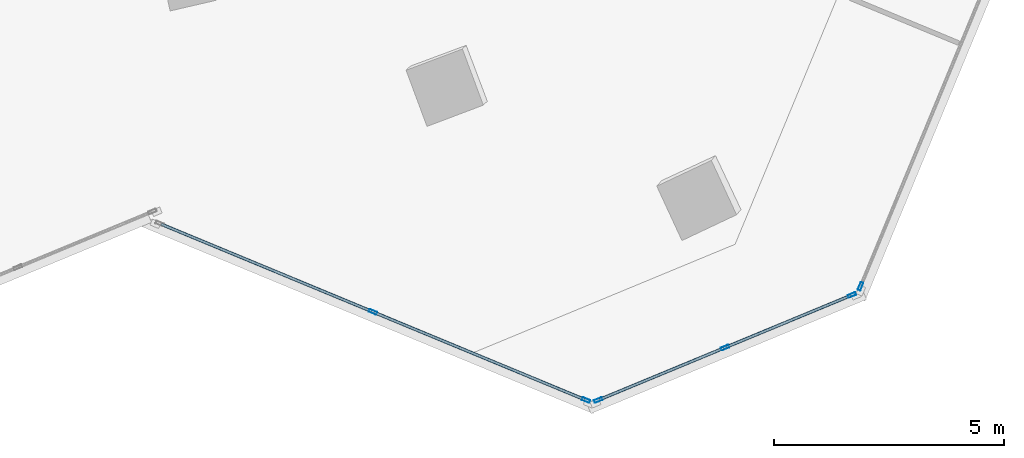
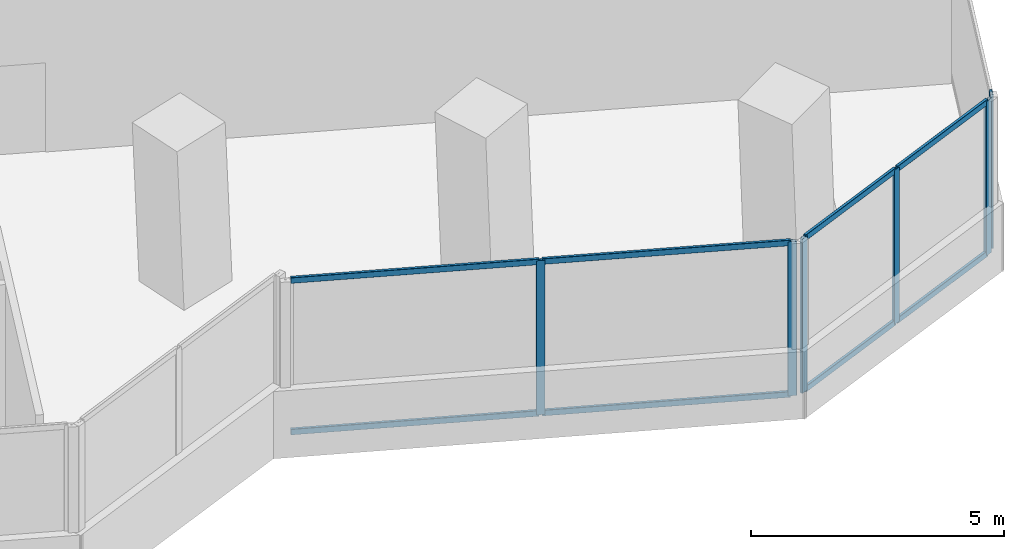
# One storey, part 6 of 22: 14 members, 3 elements without a shape of their own.
"""IFC4 building model written with IfcOpenShell, lengths in metres."""

from ifc_helpers import new_model, si_unit, direction, frame, origin, origin_2d, place, context, subcontext, project, spatial, hollow_rectangle, extrude, source, transform, mapped, material, material_profile, profile_set, type_object, element, aggregate, save


model = new_model("IFC4")

# Units and contexts
model_context = context("Model", 3, precision=1e-05, world=origin(), true_north=direction((0.0, 1.0)))
body_context = subcontext(model_context, "Body", "Model", "MODEL_VIEW")
ifc_project = project(units=[si_unit("LENGTHUNIT", "METRE"), si_unit("AREAUNIT", "SQUARE_METRE"), si_unit("VOLUMEUNIT", "CUBIC_METRE"), si_unit("PLANEANGLEUNIT", "RADIAN"), si_unit("MASSUNIT", "GRAM", prefix="KILO")], contexts=[model_context])

# Site, building, storey
site_placement = place(None, origin())
site = spatial("IfcSite", under=ifc_project, at=site_placement, CompositionType="ELEMENT")
building_placement = place(site_placement, origin())
building = spatial("IfcBuilding", under=site, at=building_placement, Name="Torre Montelarca", CompositionType="ELEMENT")
storey_placement = place(building_placement, frame((0.0, 0.0, 149.800048828125)))
storey = spatial("IfcBuildingStorey", under=building, at=storey_placement, Name="L33", CompositionType="ELEMENT", Elevation=149.800048828125)

# Curtain wall, members
ifc_material_1 = material(Name="Insulated low-E laminated glass", Category="glass")
curtain_wall_type = type_object("IfcCurtainWallType", Name="CW-SYS-Z2", PredefinedType="USERDEFINED", material=ifc_material_1)
curtain_wall_1_placement = place(storey_placement, origin())
curtain_wall_1 = element("IfcCurtainWall", 1, at=curtain_wall_1_placement, inside=storey, type_object=curtain_wall_type, Name="L33 Curtain Wall Run CW-T3-L33-E05-B1", ObjectType="UNITISED GLAZING", PredefinedType="USERDEFINED")
ifc_material_2 = material(Name="Anodised aluminium AA 6063-T6", Category="aluminium")
ifc_material_profile_1 = material_profile(ifc_material_2, hollow_rectangle(XDim=0.06494140625, YDim=0.139892578125, WallThickness=0.00390625, InnerFilletRadius=0.00390625, OuterFilletRadius=0.008056640625, at=origin_2d()), Name="ALU65X140X4", Category="aluminium")
ifc_profile_set_1 = profile_set([ifc_material_profile_1], Name="Anodised aluminium AA 6063-T6")
member_type_1 = type_object("IfcMemberType", Name="CWT-ALU140", PredefinedType="USERDEFINED", material=ifc_profile_set_1)
shared_shape_1 = source(origin(), body_context, "Body", "SweptSolid", [
    extrude(hollow_rectangle(XDim=0.06494140625, YDim=0.139892578125, WallThickness=0.00390625, InnerFilletRadius=0.00390625, OuterFilletRadius=0.008056640625, at=origin_2d()), origin(), (0.0, 0.0, 1.0), 2.918701171875),
])
member_1_placement = place(storey_placement, frame((43.0673828125, 10.689208984375, 0.032470703125), z_axis=(0.923908773038, 0.382612831859, 0.0), x_axis=(-0.382612831859, 0.923908773038, 0.0)))
member_1 = element("IfcMember", 2, at=member_1_placement, type_object=member_type_1, Name="CW transom 2.1", ObjectType="TRANSOM", PredefinedType="USERDEFINED", context=body_context, shape_type="MappedRepresentation", body=[
    mapped(shared_shape_1, transform((0.0, 0.0, 0.0), scale=1.0)),
])
member_2_placement = place(storey_placement, frame((43.0673828125, 10.689208984375, 3.6875), z_axis=(0.923908773038, 0.382612831859, 0.0), x_axis=(-0.382612831859, 0.923908773038, 0.0)))
member_2 = element("IfcMember", 3, at=member_2_placement, type_object=member_type_1, Name="CW transom 2.2", ObjectType="TRANSOM", PredefinedType="USERDEFINED", context=body_context, shape_type="MappedRepresentation", body=[
    mapped(shared_shape_1, transform((0.0, 0.0, 0.0), scale=1.0)),
])
shared_shape_2 = source(origin(), body_context, "Body", "SweptSolid", [
    extrude(hollow_rectangle(XDim=0.06494140625, YDim=0.139892578125, WallThickness=0.00390625, InnerFilletRadius=0.00390625, OuterFilletRadius=0.008056640625, at=origin_2d()), origin(), (0.0, 0.0, 1.0), 2.91845703125),
])
member_3_placement = place(storey_placement, frame((40.31103515625, 9.54736328125, 0.032470703125), z_axis=(0.923866949915, 0.382713808028, 0.0), x_axis=(-0.382713808028, 0.923866949915, 0.0)))
member_3 = element("IfcMember", 4, at=member_3_placement, type_object=member_type_1, Name="CW transom 1.1", ObjectType="TRANSOM", PredefinedType="USERDEFINED", context=body_context, shape_type="MappedRepresentation", body=[
    mapped(shared_shape_2, transform((0.0, 0.0, 0.0), scale=1.0)),
])
member_4_placement = place(storey_placement, frame((40.31103515625, 9.54736328125, 3.6875), z_axis=(0.923866949915, 0.382713808028, 0.0), x_axis=(-0.382713808028, 0.923866949915, 0.0)))
member_4 = element("IfcMember", 5, at=member_4_placement, type_object=member_type_1, Name="CW transom 1.2", ObjectType="TRANSOM", PredefinedType="USERDEFINED", context=body_context, shape_type="MappedRepresentation", body=[
    mapped(shared_shape_2, transform((0.0, 0.0, 0.0), scale=1.0)),
])

curtain_wall_2_placement = place(storey_placement, origin())
curtain_wall_2 = element("IfcCurtainWall", 6, at=curtain_wall_2_placement, inside=storey, type_object=curtain_wall_type, Name="L33 Curtain Wall Run CW-T3-L33-E04-B1", ObjectType="UNITISED GLAZING", PredefinedType="USERDEFINED")
ifc_material_profile_2 = material_profile(ifc_material_2, hollow_rectangle(XDim=0.06494140625, YDim=0.179931640625, WallThickness=0.00390625, InnerFilletRadius=0.00390625, OuterFilletRadius=0.008056640625, at=origin_2d()), Name="ALU65X180X4", Category="aluminium")
ifc_profile_set_2 = profile_set([ifc_material_profile_2], Name="Anodised aluminium AA 6063-T6")
member_type_2 = type_object("IfcMemberType", Name="CWM-ALU180", PredefinedType="MULLION", material=ifc_profile_set_2)
shared_shape_3 = source(origin(), body_context, "Body", "SweptSolid", [
    extrude(hollow_rectangle(XDim=0.06494140625, YDim=0.179931640625, WallThickness=0.00390625, InnerFilletRadius=0.00390625, OuterFilletRadius=0.008056640625, at=origin_2d()), origin(), (0.0, 0.0, 1.0), 3.719970703125),
])
member_5_placement = place(storey_placement, frame((35.382080078125, 11.45361328125, 0.0), z_axis=(0.0, 0.0, 1.0), x_axis=(0.382671218228, 0.923884591678, 0.0)))
member_5 = element("IfcMember", 7, at=member_5_placement, type_object=member_type_2, Name="CW mullion 2", PredefinedType="MULLION", context=body_context, shape_type="MappedRepresentation", body=[
    mapped(shared_shape_3, transform((0.0, 0.0, 0.0), scale=1.0)),
])
member_6_placement = place(storey_placement, frame((40.013916015625, 9.53515625, 0.0), z_axis=(0.0, 0.0, 1.0), x_axis=(0.382671218228, 0.923884591678, 0.0)))
member_6 = element("IfcMember", 8, at=member_6_placement, type_object=member_type_2, Name="CW mullion 3", PredefinedType="MULLION", context=body_context, shape_type="MappedRepresentation", body=[
    mapped(shared_shape_3, transform((0.0, 0.0, 0.0), scale=1.0)),
])

# Member
member_7_placement = place(storey_placement, frame((40.281005859375, 9.53515625, 0.0), z_axis=(0.0, 0.0, 1.0), x_axis=(-0.382661697384, 0.923888535136, 0.0)))
member_7 = element("IfcMember", 9, at=member_7_placement, type_object=member_type_2, Name="CW mullion 1", PredefinedType="MULLION", context=body_context, shape_type="MappedRepresentation", body=[
    mapped(shared_shape_3, transform((0.0, 0.0, 0.0), scale=1.0)),
])

member_8_placement = place(storey_placement, frame((43.037353515625, 10.6767578125, 0.0), z_axis=(0.0, 0.0, 1.0), x_axis=(-0.382661697384, 0.923888535136, 0.0)))
member_8 = element("IfcMember", 10, at=member_8_placement, type_object=member_type_2, Name="CW mullion 2", PredefinedType="MULLION", context=body_context, shape_type="MappedRepresentation", body=[
    mapped(shared_shape_3, transform((0.0, 0.0, 0.0), scale=1.0)),
])

member_9_placement = place(storey_placement, frame((45.7939453125, 11.818359375, 0.0), z_axis=(0.0, 0.0, 1.0), x_axis=(-0.382661697384, 0.923888535136, 0.0)))
member_9 = element("IfcMember", 11, at=member_9_placement, type_object=member_type_2, Name="CW mullion 3", PredefinedType="MULLION", context=body_context, shape_type="MappedRepresentation", body=[
    mapped(shared_shape_3, transform((0.0, 0.0, 0.0), scale=1.0)),
])

aggregate(curtain_wall_1, [member_7, member_8, member_9, member_3, member_4, member_1, member_2])

# Curtain wall, member
curtain_wall_3_placement = place(storey_placement, origin())
curtain_wall_3 = element("IfcCurtainWall", 12, at=curtain_wall_3_placement, inside=storey, type_object=curtain_wall_type, Name="L33 Curtain Wall Run CW-T3-L33-E06-B1", ObjectType="UNITISED GLAZING", PredefinedType="USERDEFINED")
member_10_placement = place(storey_placement, frame((45.98291015625, 12.00732421875, 0.0), z_axis=(0.0, 0.0, 1.0), x_axis=(-0.923881379508, 0.38267897329, 0.0)))
member_10 = element("IfcMember", 13, at=member_10_placement, type_object=member_type_2, Name="CW mullion 1", PredefinedType="MULLION", context=body_context, shape_type="MappedRepresentation", body=[
    mapped(shared_shape_3, transform((0.0, 0.0, 0.0), scale=1.0)),
])
aggregate(curtain_wall_3, [member_10])

# Member
shared_shape_4 = source(origin(), body_context, "Body", "SweptSolid", [
    extrude(hollow_rectangle(XDim=0.06494140625, YDim=0.139892578125, WallThickness=0.00390625, InnerFilletRadius=0.00390625, OuterFilletRadius=0.008056640625, at=origin_2d()), origin(), (0.0, 0.0, 1.0), 4.948486328125),
])
member_11_placement = place(storey_placement, frame((30.7802734375, 13.359619140625, 0.032470703125), z_axis=(0.923889355762, -0.382659716079, 0.0), x_axis=(0.382659716079, 0.923889355762, 0.0)))
member_11 = element("IfcMember", 14, at=member_11_placement, type_object=member_type_1, Name="CW transom 1.1", ObjectType="TRANSOM", PredefinedType="USERDEFINED", context=body_context, shape_type="MappedRepresentation", body=[
    mapped(shared_shape_4, transform((0.0, 0.0, 0.0), scale=1.0)),
])

member_12_placement = place(storey_placement, frame((30.7802734375, 13.359619140625, 3.6875), z_axis=(0.923889355762, -0.382659716079, 0.0), x_axis=(0.382659716079, 0.923889355762, 0.0)))
member_12 = element("IfcMember", 15, at=member_12_placement, type_object=member_type_1, Name="CW transom 1.2", ObjectType="TRANSOM", PredefinedType="USERDEFINED", context=body_context, shape_type="MappedRepresentation", body=[
    mapped(shared_shape_4, transform((0.0, 0.0, 0.0), scale=1.0)),
])

member_13_placement = place(storey_placement, frame((35.412109375, 11.441162109375, 0.032470703125), z_axis=(0.923871912675, -0.382701827759, 0.0), x_axis=(0.382701827759, 0.923871912675, 0.0)))
member_13 = element("IfcMember", 16, at=member_13_placement, type_object=member_type_1, Name="CW transom 2.1", ObjectType="TRANSOM", PredefinedType="USERDEFINED", context=body_context, shape_type="MappedRepresentation", body=[
    mapped(shared_shape_4, transform((0.0, 0.0, 0.0), scale=1.0)),
])

member_14_placement = place(storey_placement, frame((35.412109375, 11.441162109375, 3.6875), z_axis=(0.923871912675, -0.382701827759, 0.0), x_axis=(0.382701827759, 0.923871912675, 0.0)))
member_14 = element("IfcMember", 17, at=member_14_placement, type_object=member_type_1, Name="CW transom 2.2", ObjectType="TRANSOM", PredefinedType="USERDEFINED", context=body_context, shape_type="MappedRepresentation", body=[
    mapped(shared_shape_4, transform((0.0, 0.0, 0.0), scale=1.0)),
])

aggregate(curtain_wall_2, [member_5, member_6, member_11, member_12, member_13, member_14])

save(model, "model.ifc")
